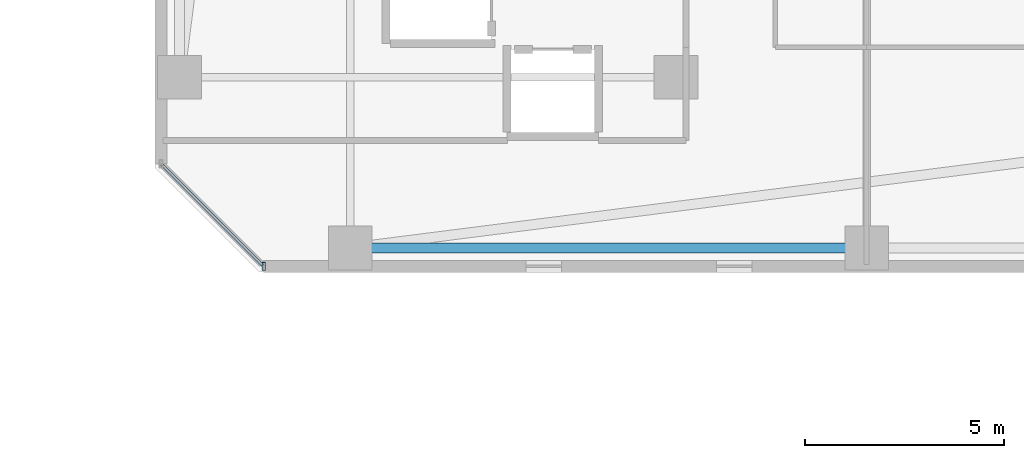
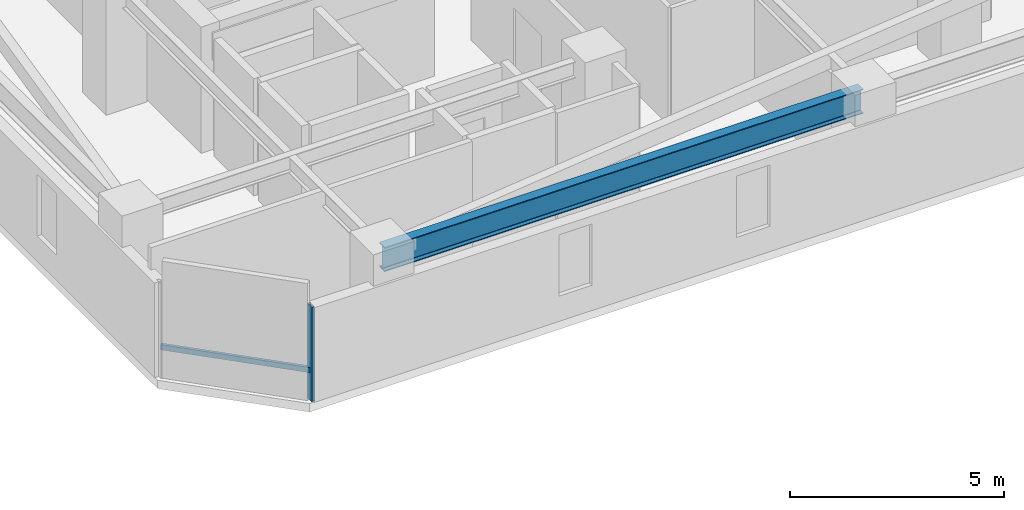
# One storey, part 12 of 33: 2 members, 1 beam, 1 element without a shape of its own.
"""IFC4 building model written with IfcOpenShell, lengths in metres."""

from ifc_helpers import new_model, si_unit, direction, frame, origin, origin_2d, place, context, subcontext, project, spatial, hollow_rectangle, i_section, extrude, material, material_profile, profile_set, type_object, element, aggregate, save


model = new_model("IFC4")

# Units and contexts
model_context = context("Model", 3, precision=1e-05, world=origin(), true_north=direction((0.0, 1.0)))
body_context = subcontext(model_context, "Body", "Model", "MODEL_VIEW")
ifc_project = project(units=[si_unit("LENGTHUNIT", "METRE"), si_unit("AREAUNIT", "SQUARE_METRE"), si_unit("VOLUMEUNIT", "CUBIC_METRE"), si_unit("PLANEANGLEUNIT", "RADIAN"), si_unit("MASSUNIT", "GRAM", prefix="KILO")], contexts=[model_context])

# Site, building, storey
site_placement = place(None, origin())
site = spatial("IfcSite", under=ifc_project, at=site_placement, CompositionType="ELEMENT")
building_placement = place(site_placement, origin())
building = spatial("IfcBuilding", under=site, at=building_placement, Name="Thornwick Lancets Civic Towers", CompositionType="ELEMENT")
storey_placement = place(building_placement, frame((0.0, 0.0, 167.10009765625)))
storey = spatial("IfcBuildingStorey", under=building, at=storey_placement, Name="L44", CompositionType="ELEMENT", Elevation=167.10009765625)

# Beam
ifc_material_1 = material(Name="Steel S355JR", Category="steel")
ifc_material_profile_1 = material_profile(ifc_material_1, i_section(OverallWidth=0.255859375, OverallDepth=0.69287109375, WebThickness=0.014404296875, FlangeThickness=0.023681640625, FilletRadius=0.01513671875, at=origin_2d()), Name="UKB 686x254x170")
ifc_profile_set_1 = profile_set([ifc_material_profile_1], Name="Steel S355JR")
beam_type = type_object("IfcBeamType", Name="BM_GIRD_686_170", PredefinedType="BEAM", material=ifc_profile_set_1)
beam_placement = place(storey_placement, frame((88.419921875, 9.699951171875, 3.013427734375), z_axis=(-1.0, 0.0, 0.0), x_axis=(0.0, -1.0, 0.0)))
element("IfcBeam", 1, at=beam_placement, inside=storey, type_object=beam_type, Name="BM-SPINE-L44-B-10-11", PredefinedType="BEAM", context=body_context, shape_type="SweptSolid", body=[
    extrude(i_section(OverallWidth=0.255859375, OverallDepth=0.69287109375, WebThickness=0.014404296875, FlangeThickness=0.023681640625, FilletRadius=0.01513671875, at=origin_2d()), origin(), (0.0, 0.0, 1.0), 12.919921875),
])

# Curtain wall, members
ifc_material_2 = material(Name="Mid-zone chamfered-corner unitised glass curtain wall", Category="glass")
curtain_wall_type = type_object("IfcCurtainWallType", Name="CW_SYS_04", PredefinedType="NOTDEFINED", material=ifc_material_2)
curtain_wall_placement = place(storey_placement, origin())
curtain_wall = element("IfcCurtainWall", 2, at=curtain_wall_placement, inside=storey, type_object=curtain_wall_type, Name="L44 Curtain Wall CW-L44-B-E7", PredefinedType="NOTDEFINED")
ifc_material_3 = material(Name="Thermally broken bronze aluminium S355", Category="steel")
ifc_material_profile_2 = material_profile(ifc_material_3, hollow_rectangle(XDim=0.080078125, YDim=0.199951171875, WallThickness=0.006103515625, at=origin_2d()), Name="RHS 200x80x6")
ifc_profile_set_2 = profile_set([ifc_material_profile_2], Name="Thermally broken bronze aluminium S355")
member_type_1 = type_object("IfcMemberType", Name="CW_MUL_200", PredefinedType="MULLION", material=ifc_profile_set_2)
member_1_placement = place(storey_placement, frame((73.318603515625, 9.2353515625, 0.0), z_axis=(0.0, 0.0, 1.0), x_axis=(1.0, 0.0, 0.0)))
member_1 = element("IfcMember", 3, at=member_1_placement, type_object=member_type_1, Name="CW-L44-B-E7 Mullion 1", PredefinedType="MULLION", context=body_context, shape_type="SweptSolid", body=[
    extrude(hollow_rectangle(XDim=0.080078125, YDim=0.199951171875, WallThickness=0.006103515625, at=origin_2d()), origin(), (0.0, 0.0, 1.0), 2.699951171875),
])
ifc_material_profile_3 = material_profile(ifc_material_3, hollow_rectangle(XDim=0.074951171875, YDim=0.14990234375, WallThickness=0.0048828125, at=origin_2d()), Name="RHS 150x75x5")
ifc_profile_set_3 = profile_set([ifc_material_profile_3], Name="Thermally broken bronze aluminium S355")
member_type_2 = type_object("IfcMemberType", Name="CW_TRN_150", PredefinedType="USERDEFINED", material=ifc_profile_set_3)
member_2_placement = place(storey_placement, frame((70.74951171875, 11.804443359375, 0.849853515625), z_axis=(0.707106781187, -0.707106781187, 0.0), x_axis=(0.707106781187, 0.707106781187, 0.0)))
member_2 = element("IfcMember", 4, at=member_2_placement, type_object=member_type_2, Name="CW-L44-B-E7 Transom 0", ObjectType="TRANSOM", PredefinedType="USERDEFINED", context=body_context, shape_type="SweptSolid", body=[
    extrude(hollow_rectangle(XDim=0.074951171875, YDim=0.14990234375, WallThickness=0.0048828125, at=origin_2d()), origin(), (0.0, 0.0, 1.0), 3.61328125),
])
aggregate(curtain_wall, [member_1, member_2])

save(model, "model.ifc")
